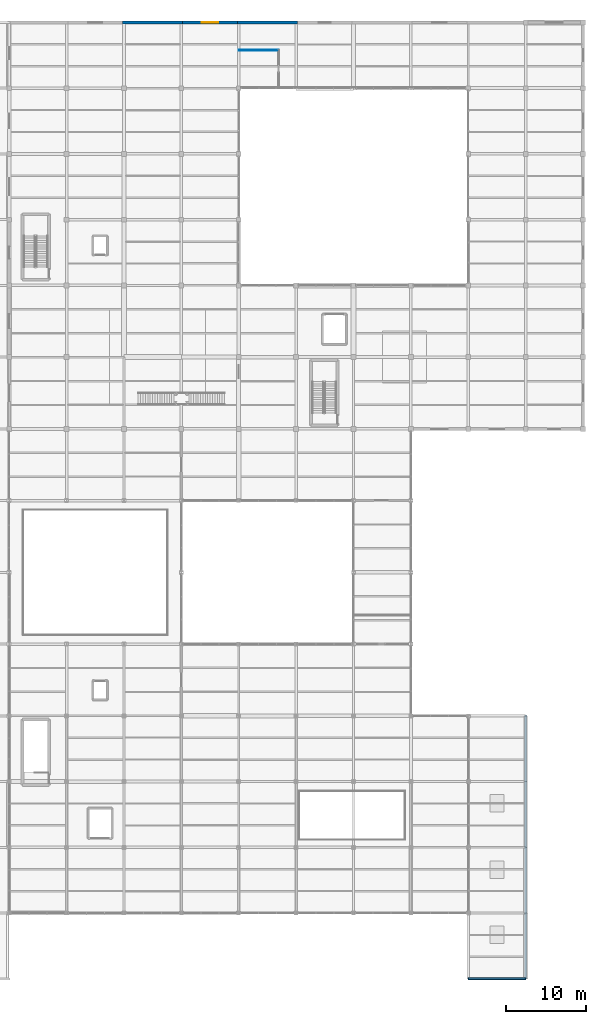
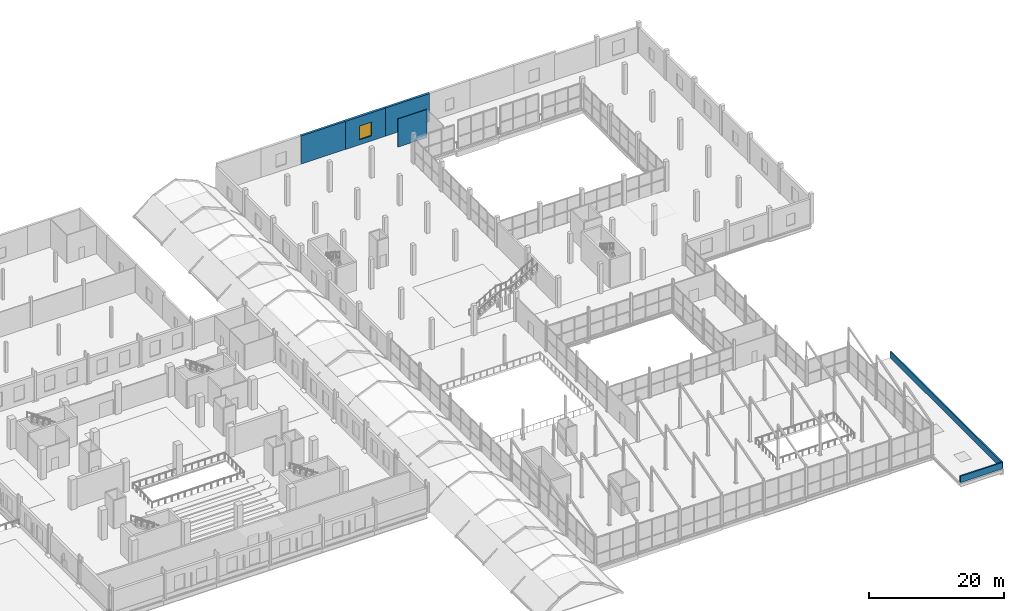
# One storey, part 123 of 141: 6 walls, 1 window, 1 opening.
"""IFC4 building model written with IfcOpenShell, lengths in metres."""

from ifc_helpers import new_model, si_unit, direction, frame, frame_2d, origin, place, context, subcontext, project, spatial, rectangle, extrude, material, layer, layer_set, type_object, element, fill, save


model = new_model("IFC4")

# Units and contexts
model_context = context("Model", 3, precision=1e-05, world=origin(), true_north=direction((0.0, 1.0)))
body_context = subcontext(model_context, "Body", "Model", "MODEL_VIEW")
ifc_project = project(units=[si_unit("LENGTHUNIT", "METRE"), si_unit("AREAUNIT", "SQUARE_METRE"), si_unit("VOLUMEUNIT", "CUBIC_METRE"), si_unit("PLANEANGLEUNIT", "RADIAN"), si_unit("MASSUNIT", "GRAM", prefix="KILO")], contexts=[model_context])

# Site, building, storey
site_placement = place(None, origin())
site = spatial("IfcSite", under=ifc_project, at=site_placement, CompositionType="ELEMENT")
building_placement = place(site_placement, origin())
building = spatial("IfcBuilding", under=site, at=building_placement, Name="Sundgate Opera House", CompositionType="ELEMENT")
storey_placement = place(building_placement, frame((0.0, 0.0, 11.39990234375)))
storey = spatial("IfcBuildingStorey", under=building, at=storey_placement, Name="L02", CompositionType="ELEMENT", Elevation=11.39990234375)

# Wall
ifc_material_1 = material(Name="Scanian red-brown facing brick masonry", Category="masonry")
ifc_layer_1 = layer(ifc_material_1, 0.389892578125)
ifc_layer_set_1 = layer_set([ifc_layer_1], Name="Scanian red-brown facing brick masonry")
wall_type_1 = type_object("IfcWallType", Name="WL-EXT-BRICK-390", PredefinedType="SOLIDWALL", material=ifc_layer_set_1)
wall_1_placement = place(storey_placement, frame((109.639892578125, 120.0, 0.0), z_axis=(0.0, 0.0, 1.0), x_axis=(1.0, 0.0, 0.0)))
element("IfcWall", 1, at=wall_1_placement, inside=storey, type_object=wall_type_1, Name="L02 Conservatory North Brick Wall W0226", PredefinedType="SOLIDWALL", context=body_context, shape_type="SweptSolid", body=[
    extrude(rectangle(XDim=7.52001953125, YDim=0.389892578125, at=frame_2d((3.760009765625, 0.0))), origin(), (0.0, 0.0, 1.0), 5.085205078125),
])

# Wall, opening, window
wall_2_placement = place(storey_placement, frame((116.840087890625, 120.0, 0.0), z_axis=(0.0, 0.0, 1.0), x_axis=(1.0, 0.0, 0.0)))
wall_2 = element("IfcWall", 2, at=wall_2_placement, inside=storey, type_object=wall_type_1, Name="L02 Conservatory North Brick Wall W0227", PredefinedType="SOLIDWALL", context=body_context, shape_type="SweptSolid", body=[
    extrude(rectangle(XDim=7.52001953125, YDim=0.389892578125, at=frame_2d((3.760009765625, 0.0))), origin(), (0.0, 0.0, 1.0), 5.085205078125),
])
opening_placement = place(wall_2_placement, frame((2.7099609375, 0.0, 0.89990234375)))
opening = element("IfcOpeningElement", 3, at=opening_placement, cuts=wall_2, Name="Opening W04", PredefinedType="OPENING", context=body_context, shape_type="SweptSolid", body=[
    extrude(rectangle(XDim=2.10009765625, YDim=2.5, at=frame_2d((1.050048828125, 1.25))), frame((0.0, 0.204833984375, 0.0), z_axis=(0.0, -1.0, 0.0), x_axis=(1.0, 0.0, 0.0)), (0.0, 0.0, 1.0), 0.409912109375),
])
ifc_material_2 = material(Name="Low-iron triple glazing in patinated bronze frame", Category="glass")
window_type = type_object("IfcWindowType", Name="WN-CONS-2100x2500", PartitioningType="SINGLE_PANEL", PredefinedType="WINDOW", material=ifc_material_2)
window_placement = place(opening_placement, origin())
window = element("IfcWindow", 4, at=window_placement, inside=storey, type_object=window_type, Name="L02 Conservatory Window WN0178", OverallHeight=2.5, OverallWidth=2.10009765625, PartitioningType="SINGLE_PANEL", PredefinedType="WINDOW", context=body_context, shape_type="SweptSolid", body=[
    extrude(rectangle(XDim=2.10009765625, YDim=2.5, at=frame_2d((1.050048828125, 1.25))), frame((0.0, 0.030029296875, 0.0), z_axis=(0.0, -1.0, 0.0), x_axis=(1.0, 0.0, 0.0)), (0.0, 0.0, 1.0), 0.06005859375),
])
fill(opening, window)

# Walls
wall_3_placement = place(storey_placement, frame((124.0400390625, 120.0, 0.0), z_axis=(0.0, 0.0, 1.0), x_axis=(1.0, 0.0, 0.0)))
element("IfcWall", 5, at=wall_3_placement, inside=storey, type_object=wall_type_1, Name="L02 Conservatory North Brick Wall W0228", PredefinedType="SOLIDWALL", context=body_context, shape_type="SweptSolid", body=[
    extrude(rectangle(XDim=7.52001953125, YDim=0.389892578125, at=frame_2d((3.760009765625, 0.0))), origin(), (0.0, 0.0, 1.0), 5.085205078125),
])
ifc_material_3 = material(Name="Moisture-resistant sanitary partition", Category="gypsum")
ifc_layer_2 = layer(ifc_material_3, 0.114990234375)
ifc_layer_set_2 = layer_set([ifc_layer_2], Name="Moisture-resistant sanitary partition")
wall_type_2 = type_object("IfcWallType", Name="WL-INT-WET-115", PredefinedType="PARTITIONING", material=ifc_layer_set_2)
wall_4_placement = place(storey_placement, frame((124.199951171875, 116.5, 0.0), z_axis=(0.0, 0.0, 1.0), x_axis=(1.0, 0.0, 0.0)))
element("IfcWall", 6, at=wall_4_placement, inside=storey, type_object=wall_type_2, Name="L02 Interior Partition W1062", PredefinedType="PARTITIONING", context=body_context, shape_type="SweptSolid", body=[
    extrude(rectangle(XDim=5.0, YDim=0.114990234375, at=frame_2d((2.5, 0.0))), origin(), (0.0, 0.0, 1.0), 5.085205078125),
])
ifc_material_4 = material(Name="Vitrified stoneware trencadis masonry", Category="masonry")
ifc_layer_3 = layer(ifc_material_4, 0.22998046875)
ifc_layer_set_3 = layer_set([ifc_layer_3], Name="Vitrified stoneware trencadis masonry")
wall_type_3 = type_object("IfcWallType", Name="WL-PAR-TERR-230", PredefinedType="PARAPET", material=ifc_layer_set_3)
wall_5_placement = place(storey_placement, frame((153.0, 0.0, 0.0), z_axis=(0.0, 0.0, 1.0), x_axis=(1.0, 0.0, 0.0)))
element("IfcWall", 7, at=wall_5_placement, inside=storey, type_object=wall_type_3, Name="L02 Roof Parapet W0473", PredefinedType="PARAPET", context=body_context, shape_type="SweptSolid", body=[
    extrude(rectangle(XDim=7.199951171875, YDim=0.22998046875, at=frame_2d((3.60009765625, 0.0))), origin(), (0.0, 0.0, 1.0), 1.150146484375),
])
wall_6_placement = place(storey_placement, frame((160.199951171875, 0.0, 0.0), z_axis=(0.0, 0.0, 1.0), x_axis=(0.0, 1.0, 0.0)))
element("IfcWall", 8, at=wall_6_placement, inside=storey, type_object=wall_type_3, Name="L02 Roof Parapet W0474", PredefinedType="PARAPET", context=body_context, shape_type="SweptSolid", body=[
    extrude(rectangle(XDim=33.0, YDim=0.22998046875, at=frame_2d((16.5, 0.0))), origin(), (0.0, 0.0, 1.0), 1.150146484375),
])

save(model, "model.ifc")
